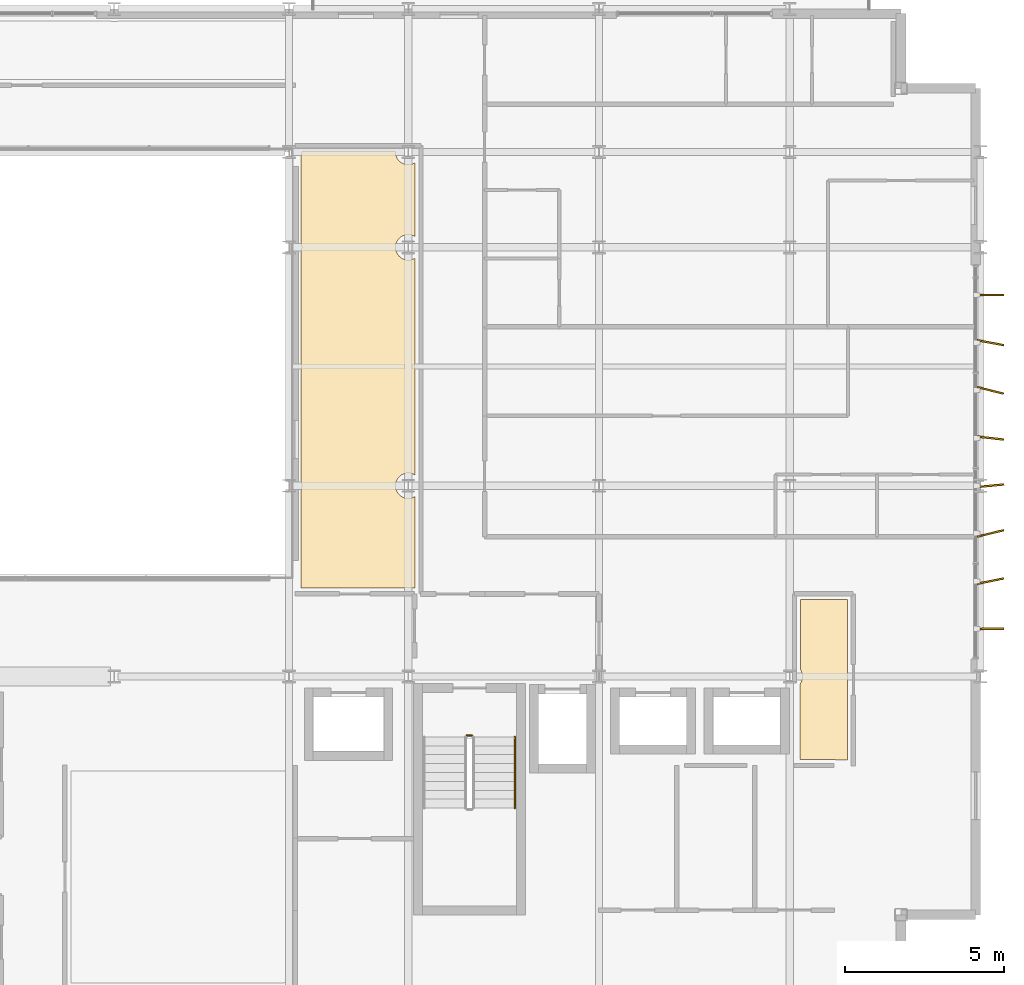
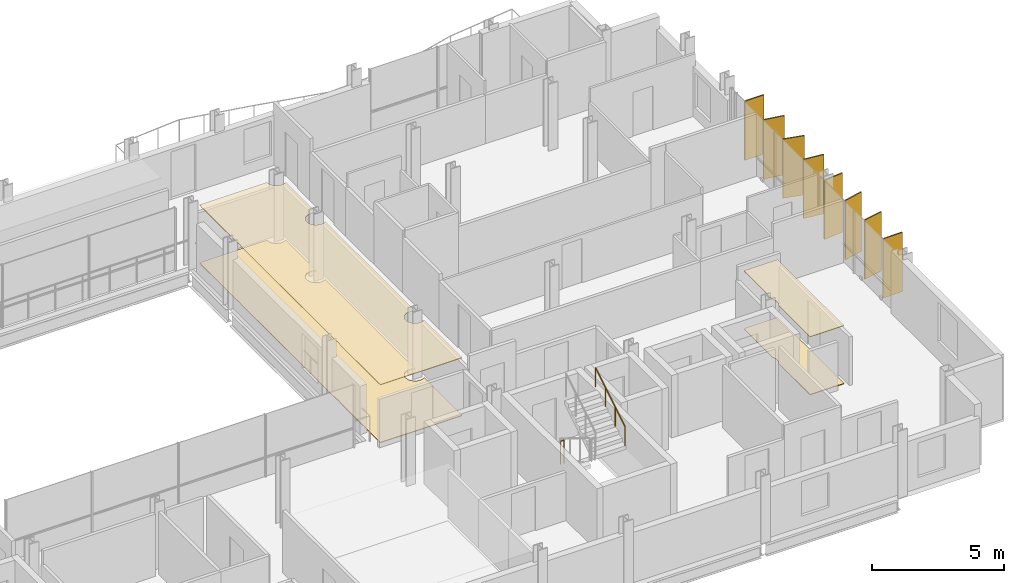
# One storey, part 39 of 40: 8 shading devices, 4 coverings, 2 railings.
"""IFC4 building model written with IfcOpenShell, lengths in metres."""

from ifc_helpers import new_model, si_unit, direction, frame, origin, origin_2d, place, context, subcontext, project, spatial, polyline, rectangle, circle, outline, extrude, material, layer, layer_set, type_object, element, save


model = new_model("IFC4")

# Units and contexts
model_context = context("Model", 3, precision=1e-05, world=origin(), true_north=direction((0.0, 1.0)))
body_context = subcontext(model_context, "Body", "Model", "MODEL_VIEW")
ifc_project = project(units=[si_unit("LENGTHUNIT", "METRE"), si_unit("AREAUNIT", "SQUARE_METRE"), si_unit("VOLUMEUNIT", "CUBIC_METRE"), si_unit("PLANEANGLEUNIT", "RADIAN"), si_unit("MASSUNIT", "GRAM", prefix="KILO")], contexts=[model_context])

# Site, building, storey
site_placement = place(None, origin())
site = spatial("IfcSite", under=ifc_project, at=site_placement, CompositionType="ELEMENT")
building_placement = place(site_placement, origin())
building = spatial("IfcBuilding", under=site, at=building_placement, Name="Brevholm Reach", CompositionType="ELEMENT")
storey_placement = place(building_placement, frame((0.0, 0.0, 148.0)))
storey = spatial("IfcBuildingStorey", under=building, at=storey_placement, Name="L44", CompositionType="ELEMENT", Elevation=148.0)

# Coverings
ifc_material_1 = material(Name="Moisture-Resistant Skimmed Gypsum Plasterboard Ceiling", Category="gypsum")
ifc_layer_1 = layer(ifc_material_1, 0.030029296875)
ifc_layer_set_1 = layer_set([ifc_layer_1], Name="Moisture-Resistant Skimmed Gypsum Plasterboard Ceiling")
covering_type_1 = type_object("IfcCoveringType", Name="COV-CLG-GYP", PredefinedType="CEILING", material=ifc_layer_set_1)
covering_1_placement = place(storey_placement, frame((0.0, 0.0, 2.679931640625)))
element("IfcCovering", 1, at=covering_1_placement, inside=storey, type_object=covering_type_1, Name="L44 Suspended Ceiling L44-27", PredefinedType="CEILING", context=body_context, shape_type="SweptSolid", body=[
    extrude(outline(polyline([(54.330078125, 9.7626953125), (54.33056640625, 9.764892578125), (54.33251953125, 9.777587890625), (54.33251953125, 9.77783203125), (54.352783203125, 9.811279296875), (54.36962890625, 9.846923828125), (54.3828125, 9.8837890625), (54.392333984375, 9.922119140625), (54.398193359375, 9.960693359375), (54.39990234375, 10.0), (54.398193359375, 10.039306640625), (54.392333984375, 10.077880859375), (54.3828125, 10.1162109375), (54.36962890625, 10.153076171875), (54.352783203125, 10.188720703125), (54.333984375, 10.219970703125), (54.333984375, 12.419921875), (55.81591796875, 12.419921875), (55.81591796875, 7.3798828125), (55.437255859375, 7.3798828125), (55.43505859375, 7.380615234375), (55.41748046875, 7.383056640625), (55.39990234375, 7.384033203125), (54.330078125, 7.384033203125), (54.330078125, 9.7626953125)])), origin(), (0.0, 0.0, 1.0), 0.030029296875),
])
covering_2_placement = place(storey_placement, frame((0.0, 0.0, 2.679931640625)))
element("IfcCovering", 2, at=covering_2_placement, inside=storey, type_object=covering_type_1, Name="L44 Suspended Ceiling L44-56", PredefinedType="CEILING", context=body_context, shape_type="SweptSolid", body=[
    extrude(outline(polyline([(38.6298828125, 15.876220703125), (38.6328125, 15.8837890625), (38.642333984375, 15.922119140625), (38.648193359375, 15.960693359375), (38.64990234375, 16.0), (38.648193359375, 16.039306640625), (38.642333984375, 16.077880859375), (38.6328125, 16.1162109375), (38.6298828125, 16.123779296875), (38.6298828125, 23.376220703125), (38.6328125, 23.3837890625), (38.642333984375, 23.422119140625), (38.648193359375, 23.460693359375), (38.64990234375, 23.5), (38.648193359375, 23.539306640625), (38.642333984375, 23.577880859375), (38.6328125, 23.6162109375), (38.6298828125, 23.623779296875), (38.6298828125, 26.376220703125), (38.6328125, 26.3837890625), (38.642333984375, 26.422119140625), (38.648193359375, 26.460693359375), (38.64990234375, 26.5), (38.649169921875, 26.51611328125), (41.600830078125, 26.51611328125), (41.60009765625, 26.5), (41.601806640625, 26.460693359375), (41.607666015625, 26.422119140625), (41.6171875, 26.3837890625), (41.63037109375, 26.346923828125), (41.647216796875, 26.311279296875), (41.66748046875, 26.27783203125), (41.69091796875, 26.24609375), (41.71728515625, 26.21728515625), (41.74609375, 26.19091796875), (41.77783203125, 26.16748046875), (41.811279296875, 26.147216796875), (41.846923828125, 26.13037109375), (41.8837890625, 26.1171875), (41.922119140625, 26.107666015625), (41.960693359375, 26.101806640625), (42.0, 26.10009765625), (42.039306640625, 26.101806640625), (42.077880859375, 26.107666015625), (42.1162109375, 26.1171875), (42.153076171875, 26.13037109375), (42.188720703125, 26.147216796875), (42.216064453125, 26.163818359375), (42.216064453125, 23.836181640625), (42.188720703125, 23.852783203125), (42.153076171875, 23.86962890625), (42.1162109375, 23.8828125), (42.077880859375, 23.892333984375), (42.039306640625, 23.898193359375), (42.0, 23.89990234375), (41.960693359375, 23.898193359375), (41.922119140625, 23.892333984375), (41.8837890625, 23.8828125), (41.846923828125, 23.86962890625), (41.811279296875, 23.852783203125), (41.77783203125, 23.83251953125), (41.74609375, 23.80908203125), (41.71728515625, 23.78271484375), (41.69091796875, 23.75390625), (41.66748046875, 23.72216796875), (41.647216796875, 23.688720703125), (41.63037109375, 23.653076171875), (41.6171875, 23.6162109375), (41.607666015625, 23.577880859375), (41.601806640625, 23.539306640625), (41.60009765625, 23.5), (41.601806640625, 23.460693359375), (41.607666015625, 23.422119140625), (41.6171875, 23.3837890625), (41.63037109375, 23.346923828125), (41.647216796875, 23.311279296875), (41.66748046875, 23.27783203125), (41.69091796875, 23.24609375), (41.71728515625, 23.21728515625), (41.74609375, 23.19091796875), (41.77783203125, 23.16748046875), (41.811279296875, 23.147216796875), (41.846923828125, 23.13037109375), (41.8837890625, 23.1171875), (41.922119140625, 23.107666015625), (41.960693359375, 23.101806640625), (42.0, 23.10009765625), (42.039306640625, 23.101806640625), (42.077880859375, 23.107666015625), (42.1162109375, 23.1171875), (42.153076171875, 23.13037109375), (42.188720703125, 23.147216796875), (42.216064453125, 23.163818359375), (42.216064453125, 16.336181640625), (42.188720703125, 16.352783203125), (42.153076171875, 16.36962890625), (42.1162109375, 16.3828125), (42.077880859375, 16.392333984375), (42.039306640625, 16.398193359375), (42.0, 16.39990234375), (41.960693359375, 16.398193359375), (41.922119140625, 16.392333984375), (41.8837890625, 16.3828125), (41.846923828125, 16.36962890625), (41.811279296875, 16.352783203125), (41.77783203125, 16.33251953125), (41.74609375, 16.30908203125), (41.71728515625, 16.28271484375), (41.69091796875, 16.25390625), (41.66748046875, 16.22216796875), (41.647216796875, 16.188720703125), (41.63037109375, 16.153076171875), (41.6171875, 16.1162109375), (41.607666015625, 16.077880859375), (41.601806640625, 16.039306640625), (41.60009765625, 16.0), (41.601806640625, 15.960693359375), (41.607666015625, 15.922119140625), (41.6171875, 15.8837890625), (41.63037109375, 15.846923828125), (41.647216796875, 15.811279296875), (41.66748046875, 15.77783203125), (41.69091796875, 15.74609375), (41.71728515625, 15.71728515625), (41.74609375, 15.69091796875), (41.77783203125, 15.66748046875), (41.811279296875, 15.647216796875), (41.846923828125, 15.63037109375), (41.8837890625, 15.6171875), (41.922119140625, 15.607666015625), (41.960693359375, 15.601806640625), (42.0, 15.60009765625), (42.039306640625, 15.601806640625), (42.077880859375, 15.607666015625), (42.1162109375, 15.6171875), (42.153076171875, 15.63037109375), (42.188720703125, 15.647216796875), (42.216064453125, 15.663818359375), (42.216064453125, 12.783935546875), (38.6298828125, 12.783935546875), (38.6298828125, 15.876220703125)])), origin(), (0.0, 0.0, 1.0), 0.030029296875),
])
ifc_material_2 = material(Name="Honed Portland-Aggregate Resin Terrazzo Flooring", Category="concrete")
ifc_layer_2 = layer(ifc_material_2, 0.031982421875)
ifc_layer_set_2 = layer_set([ifc_layer_2], Name="Honed Portland-Aggregate Resin Terrazzo Flooring")
covering_type_2 = type_object("IfcCoveringType", Name="COV-FLR-TRZ", PredefinedType="FLOORING", material=ifc_layer_set_2)
covering_3_placement = place(storey_placement, origin())
element("IfcCovering", 3, at=covering_3_placement, inside=storey, type_object=covering_type_2, Name="L44 Floor Finish L44-27", PredefinedType="FLOORING", context=body_context, shape_type="SweptSolid", body=[
    extrude(outline(polyline([(54.330078125, 9.7626953125), (54.33056640625, 9.764892578125), (54.33251953125, 9.777587890625), (54.33251953125, 9.77783203125), (54.352783203125, 9.811279296875), (54.36962890625, 9.846923828125), (54.3828125, 9.8837890625), (54.392333984375, 9.922119140625), (54.398193359375, 9.960693359375), (54.39990234375, 10.0), (54.398193359375, 10.039306640625), (54.392333984375, 10.077880859375), (54.3828125, 10.1162109375), (54.36962890625, 10.153076171875), (54.352783203125, 10.188720703125), (54.333984375, 10.219970703125), (54.333984375, 12.419921875), (55.81591796875, 12.419921875), (55.81591796875, 7.3798828125), (55.437255859375, 7.3798828125), (55.43505859375, 7.380615234375), (55.41748046875, 7.383056640625), (55.39990234375, 7.384033203125), (54.330078125, 7.384033203125), (54.330078125, 9.7626953125)])), origin(), (0.0, 0.0, 1.0), 0.031982421875),
])
covering_4_placement = place(storey_placement, origin())
element("IfcCovering", 4, at=covering_4_placement, inside=storey, type_object=covering_type_2, Name="L44 Floor Finish L44-56", PredefinedType="FLOORING", context=body_context, shape_type="SweptSolid", body=[
    extrude(outline(polyline([(38.6298828125, 15.876220703125), (38.6328125, 15.8837890625), (38.642333984375, 15.922119140625), (38.648193359375, 15.960693359375), (38.64990234375, 16.0), (38.648193359375, 16.039306640625), (38.642333984375, 16.077880859375), (38.6328125, 16.1162109375), (38.6298828125, 16.123779296875), (38.6298828125, 23.376220703125), (38.6328125, 23.3837890625), (38.642333984375, 23.422119140625), (38.648193359375, 23.460693359375), (38.64990234375, 23.5), (38.648193359375, 23.539306640625), (38.642333984375, 23.577880859375), (38.6328125, 23.6162109375), (38.6298828125, 23.623779296875), (38.6298828125, 26.376220703125), (38.6328125, 26.3837890625), (38.642333984375, 26.422119140625), (38.648193359375, 26.460693359375), (38.64990234375, 26.5), (38.649169921875, 26.51611328125), (41.600830078125, 26.51611328125), (41.60009765625, 26.5), (41.601806640625, 26.460693359375), (41.607666015625, 26.422119140625), (41.6171875, 26.3837890625), (41.63037109375, 26.346923828125), (41.647216796875, 26.311279296875), (41.66748046875, 26.27783203125), (41.69091796875, 26.24609375), (41.71728515625, 26.21728515625), (41.74609375, 26.19091796875), (41.77783203125, 26.16748046875), (41.811279296875, 26.147216796875), (41.846923828125, 26.13037109375), (41.8837890625, 26.1171875), (41.922119140625, 26.107666015625), (41.960693359375, 26.101806640625), (42.0, 26.10009765625), (42.039306640625, 26.101806640625), (42.077880859375, 26.107666015625), (42.1162109375, 26.1171875), (42.153076171875, 26.13037109375), (42.188720703125, 26.147216796875), (42.216064453125, 26.163818359375), (42.216064453125, 23.836181640625), (42.188720703125, 23.852783203125), (42.153076171875, 23.86962890625), (42.1162109375, 23.8828125), (42.077880859375, 23.892333984375), (42.039306640625, 23.898193359375), (42.0, 23.89990234375), (41.960693359375, 23.898193359375), (41.922119140625, 23.892333984375), (41.8837890625, 23.8828125), (41.846923828125, 23.86962890625), (41.811279296875, 23.852783203125), (41.77783203125, 23.83251953125), (41.74609375, 23.80908203125), (41.71728515625, 23.78271484375), (41.69091796875, 23.75390625), (41.66748046875, 23.72216796875), (41.647216796875, 23.688720703125), (41.63037109375, 23.653076171875), (41.6171875, 23.6162109375), (41.607666015625, 23.577880859375), (41.601806640625, 23.539306640625), (41.60009765625, 23.5), (41.601806640625, 23.460693359375), (41.607666015625, 23.422119140625), (41.6171875, 23.3837890625), (41.63037109375, 23.346923828125), (41.647216796875, 23.311279296875), (41.66748046875, 23.27783203125), (41.69091796875, 23.24609375), (41.71728515625, 23.21728515625), (41.74609375, 23.19091796875), (41.77783203125, 23.16748046875), (41.811279296875, 23.147216796875), (41.846923828125, 23.13037109375), (41.8837890625, 23.1171875), (41.922119140625, 23.107666015625), (41.960693359375, 23.101806640625), (42.0, 23.10009765625), (42.039306640625, 23.101806640625), (42.077880859375, 23.107666015625), (42.1162109375, 23.1171875), (42.153076171875, 23.13037109375), (42.188720703125, 23.147216796875), (42.216064453125, 23.163818359375), (42.216064453125, 16.336181640625), (42.188720703125, 16.352783203125), (42.153076171875, 16.36962890625), (42.1162109375, 16.3828125), (42.077880859375, 16.392333984375), (42.039306640625, 16.398193359375), (42.0, 16.39990234375), (41.960693359375, 16.398193359375), (41.922119140625, 16.392333984375), (41.8837890625, 16.3828125), (41.846923828125, 16.36962890625), (41.811279296875, 16.352783203125), (41.77783203125, 16.33251953125), (41.74609375, 16.30908203125), (41.71728515625, 16.28271484375), (41.69091796875, 16.25390625), (41.66748046875, 16.22216796875), (41.647216796875, 16.188720703125), (41.63037109375, 16.153076171875), (41.6171875, 16.1162109375), (41.607666015625, 16.077880859375), (41.601806640625, 16.039306640625), (41.60009765625, 16.0), (41.601806640625, 15.960693359375), (41.607666015625, 15.922119140625), (41.6171875, 15.8837890625), (41.63037109375, 15.846923828125), (41.647216796875, 15.811279296875), (41.66748046875, 15.77783203125), (41.69091796875, 15.74609375), (41.71728515625, 15.71728515625), (41.74609375, 15.69091796875), (41.77783203125, 15.66748046875), (41.811279296875, 15.647216796875), (41.846923828125, 15.63037109375), (41.8837890625, 15.6171875), (41.922119140625, 15.607666015625), (41.960693359375, 15.601806640625), (42.0, 15.60009765625), (42.039306640625, 15.601806640625), (42.077880859375, 15.607666015625), (42.1162109375, 15.6171875), (42.153076171875, 15.63037109375), (42.188720703125, 15.647216796875), (42.216064453125, 15.663818359375), (42.216064453125, 12.783935546875), (38.6298828125, 12.783935546875), (38.6298828125, 15.876220703125)])), origin(), (0.0, 0.0, 1.0), 0.031982421875),
])

# Railings
ifc_material_3 = material(Name="Brushed Stainless Steel EN 1.4401 Continuous Handrail", Category="steel")
railing_type_1 = type_object("IfcRailingType", Name="RAL-HND-950", PredefinedType="HANDRAIL", material=ifc_material_3)
railing_1_placement = place(storey_placement, frame((45.35009765625, 5.860107421875, 1.72216796875)))
element("IfcRailing", 5, at=railing_1_placement, inside=storey, type_object=railing_type_1, Name="L44 ST-2 stair handrail 2", PredefinedType="HANDRAIL", context=body_context, shape_type="SweptSolid", body=[
    extrude(circle(Radius=0.02392578125, at=origin_2d()), frame((0.0, 0.0, 0.8857421875), z_axis=(0.0, 0.851747552033, 0.523952390591), x_axis=(-1.0, 0.0, 0.0)), (0.0, 0.0, 1.0), 2.6298828125),
    extrude(circle(Radius=0.02099609375, at=origin_2d()), origin(), (0.0, 0.0, 1.0), 0.86181640625),
    extrude(circle(Radius=0.02099609375, at=origin_2d()), frame((0.0, 0.74658203125, 0.459228515625)), (0.0, 0.0, 1.0), 0.86181640625),
    extrude(circle(Radius=0.02099609375, at=origin_2d()), frame((0.0, 1.493408203125, 0.918701171875)), (0.0, 0.0, 1.0), 0.86181640625),
    extrude(circle(Radius=0.02099609375, at=origin_2d()), frame((0.0, 2.239990234375, 1.3779296875)), (0.0, 0.0, 1.0), 0.86181640625),
])
ifc_material_4 = material(Name="Painted Tubular Galvanised Steel S275JR Stair Guard", Category="steel")
railing_type_2 = type_object("IfcRailingType", Name="RAL-STG-1120", PredefinedType="BALUSTRADE", material=ifc_material_4)
railing_2_placement = place(storey_placement, frame((43.85009765625, 8.14990234375, 0.0)))
element("IfcRailing", 6, at=railing_2_placement, inside=storey, type_object=railing_type_2, Name="L44 ST-2 stair guard 4", PredefinedType="BALUSTRADE", context=body_context, shape_type="SweptSolid", body=[
    extrude(circle(Radius=0.02392578125, at=origin_2d()), frame((0.0, 0.0, 1.076171875), z_axis=(1.0, 0.0, 0.0), x_axis=(0.0, 1.0, 0.0)), (0.0, 0.0, 1.0), 0.14990234375),
    extrude(circle(Radius=0.02099609375, at=origin_2d()), origin(), (0.0, 0.0, 1.0), 1.052001953125),
    extrude(circle(Radius=0.02099609375, at=origin_2d()), frame((0.14990234375, 0.0, 0.0)), (0.0, 0.0, 1.0), 1.052001953125),
])

# Shading devices
ifc_material_5 = material(Name="Perforated Champagne-Bronze Anodised Aluminium", Category="aluminium")
ifc_layer_3 = layer(ifc_material_5, 0.054931640625)
ifc_layer_set_3 = layer_set([ifc_layer_3], Name="Perforated Champagne-Bronze Anodised Aluminium")
shading_device_type = type_object("IfcShadingDeviceType", Name="SHD-FIN-850", PredefinedType="USERDEFINED", material=ifc_layer_set_3)
for number, where, z_axis, x_axis, name in (
    (7, (60.31494140625, 11.5, 0.06982421875), (0.0, 0.0, 1.0), (0.99994734064, 0.010262355862, 0.0), "L44 Perforated Solar Screen Fin 1"),
    (8, (60.31494140625, 13.0, 0.06982421875), (0.0, 0.0, 1.0), (0.980604397486, 0.195997488837, 0.0), "L44 Perforated Solar Screen Fin 2"),
    (9, (60.31494140625, 14.5, 0.06982421875), (0.0, 0.0, 1.0), (0.972345468725, 0.233547188916, 0.0), "L44 Perforated Solar Screen Fin 3"),
    (10, (60.31494140625, 16.0, 0.06982421875), (0.0, 0.0, 1.0), (0.995330727643, 0.096523274964, 0.0), "L44 Perforated Solar Screen Fin 4"),
    (11, (60.31494140625, 17.5, 0.06982421875), (0.0, 0.0, 1.0), (0.993374771481, -0.11491981285, 0.0), "L44 Perforated Solar Screen Fin 5"),
    (12, (60.31494140625, 19.0, 0.06982421875), (0.0, 0.0, 1.0), (0.971267350655, -0.237991036703, 0.0), "L44 Perforated Solar Screen Fin 6"),
    (13, (60.31494140625, 20.5, 0.06982421875), (0.0, 0.0, 1.0), (0.983034732532, -0.18341950451, 0.0), "L44 Perforated Solar Screen Fin 7"),
    (14, (60.31494140625, 22.0, 0.06982421875), (0.0, 0.0, 1.0), (0.99994734064, 0.010262355862, 0.0), "L44 Perforated Solar Screen Fin 8"),
):
    element("IfcShadingDevice", number, at=place(storey_placement, frame(where, z_axis=z_axis, x_axis=x_axis)), inside=storey, type_object=shading_device_type, Name=name, ObjectType="SCREEN", PredefinedType="USERDEFINED", context=body_context, shape_type="SweptSolid", body=[
        extrude(rectangle(XDim=0.85009765625, YDim=0.054931640625, at=origin_2d()), origin(), (0.0, 0.0, 1.0), 2.739990234375),
    ])

save(model, "model.ifc")
